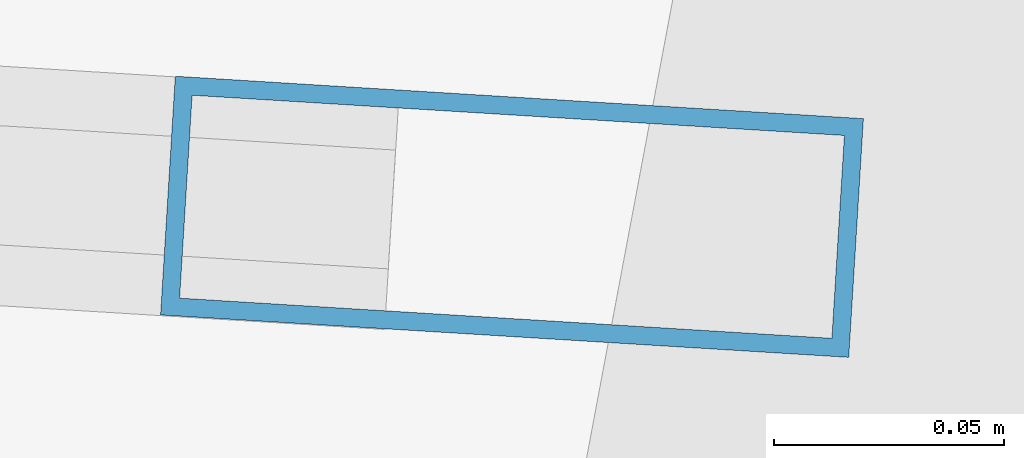
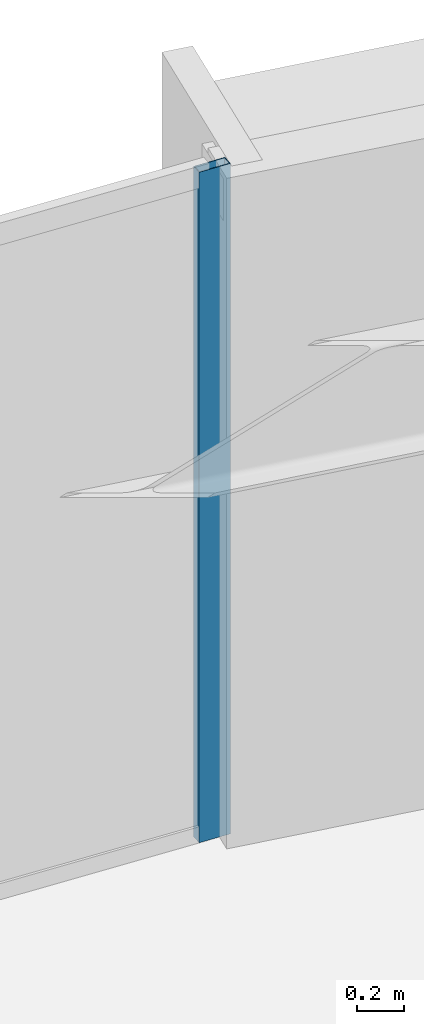
# One storey, part 6 of 19: 1 member, 1 element without a shape of its own.
"""IFC4 building model written with IfcOpenShell, lengths in metres."""

from ifc_helpers import new_model, si_unit, direction, frame, origin, origin_2d, place, context, subcontext, project, spatial, hollow_rectangle, extrude, source, transform, mapped, material, layer, layer_set, material_profile, profile_set, type_object, element, aggregate, save


model = new_model("IFC4")

# Units and contexts
model_context = context("Model", 3, precision=1e-05, world=origin(), true_north=direction((0.0, 1.0)))
body_context = subcontext(model_context, "Body", "Model", "MODEL_VIEW")
ifc_project = project(units=[si_unit("LENGTHUNIT", "METRE"), si_unit("AREAUNIT", "SQUARE_METRE"), si_unit("VOLUMEUNIT", "CUBIC_METRE"), si_unit("PLANEANGLEUNIT", "RADIAN"), si_unit("MASSUNIT", "GRAM", prefix="KILO")], contexts=[model_context])

# Site, building, storey
site_placement = place(None, origin())
site = spatial("IfcSite", under=ifc_project, at=site_placement, CompositionType="ELEMENT")
building_placement = place(site_placement, origin())
building = spatial("IfcBuilding", under=site, at=building_placement, Name="Linh Dai School and Residence Tower", CompositionType="ELEMENT")
storey_placement = place(building_placement, frame((0.0, 0.0, 119.699951171875)))
storey = spatial("IfcBuildingStorey", under=building, at=storey_placement, Name="L28", CompositionType="ELEMENT", Elevation=119.699951171875)

# Curtain wall, member
ifc_material_1 = material(Name="Aluminium Anodised Curtain Wall", Category="aluminium")
ifc_layer = layer(ifc_material_1, 0.14990234375)
ifc_layer_set = layer_set([ifc_layer], Name="Aluminium Anodised Curtain Wall")
curtain_wall_type = type_object("IfcCurtainWallType", Name="CW-SYS-4", PredefinedType="USERDEFINED", material=ifc_layer_set)
curtain_wall_placement = place(storey_placement, origin())
curtain_wall = element("IfcCurtainWall", 1, at=curtain_wall_placement, inside=storey, type_object=curtain_wall_type, Name="L28 CW4 Curtain Wall 10", ObjectType="RIBBON CURTAIN WALL", PredefinedType="USERDEFINED")
ifc_material_2 = material(Name="Aluminium Alloy 6063-T6", Category="aluminium")
ifc_material_profile = material_profile(ifc_material_2, hollow_rectangle(XDim=0.052001953125, YDim=0.14990234375, WallThickness=0.00390625, at=origin_2d()), Name="RHS 150x52x4")
ifc_profile_set = profile_set([ifc_material_profile], Name="Aluminium Alloy 6063-T6")
member_type = type_object("IfcMemberType", Name="CW-SYS-4-MUL", PredefinedType="MULLION", material=ifc_profile_set)
shared_shape = source(origin(), body_context, "Body", "SweptSolid", [
    extrude(hollow_rectangle(XDim=0.052001953125, YDim=0.14990234375, WallThickness=0.00390625, at=origin_2d()), origin(), (0.0, 0.0, 1.0), 3.5),
])
member_placement = place(storey_placement, frame((40.479736328125, 49.22900390625, 0.0), z_axis=(0.0, 0.0, 1.0), x_axis=(0.061509255091, 0.998106513123, 0.0)))
member = element("IfcMember", 2, at=member_placement, type_object=member_type, Name="CW4 mullion 3", PredefinedType="MULLION", context=body_context, shape_type="MappedRepresentation", body=[
    mapped(shared_shape, transform((0.0, 0.0, 0.0), x_axis=(1.0, 0.0, 0.0), y_axis=(0.0, 1.0, 0.0), z_axis=(0.0, 0.0, 1.0), scale=1.0)),
])
aggregate(curtain_wall, [member])

save(model, "model.ifc")
